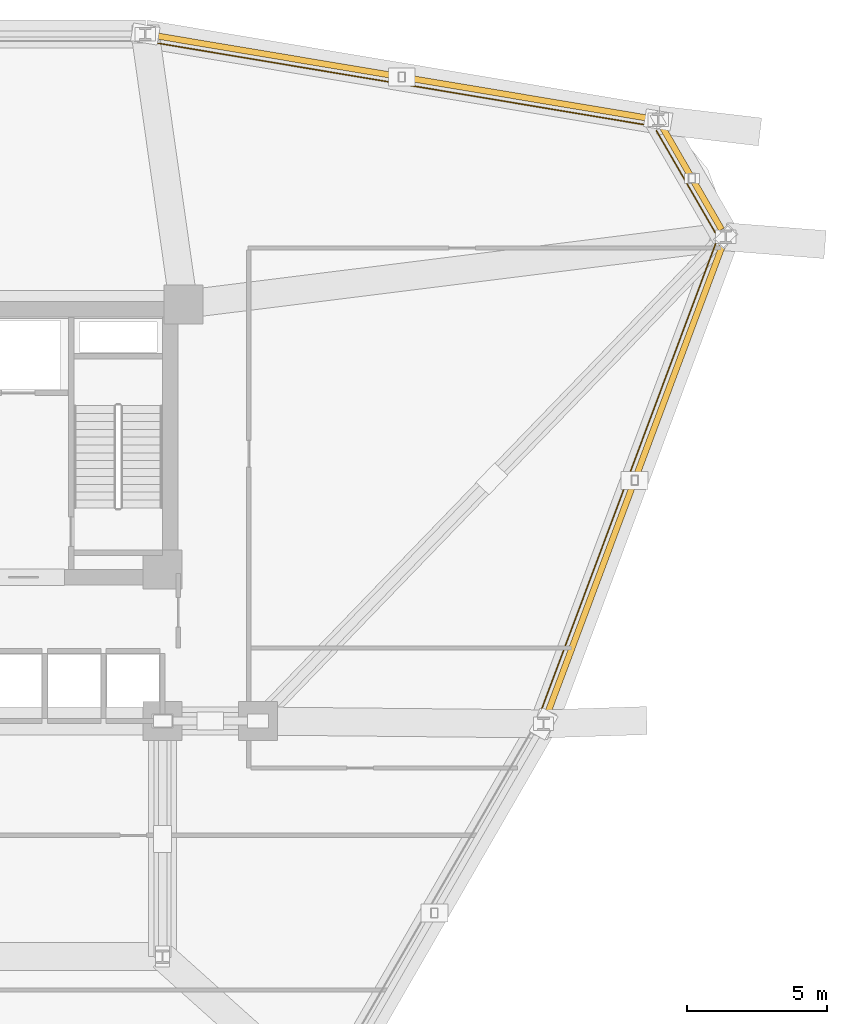
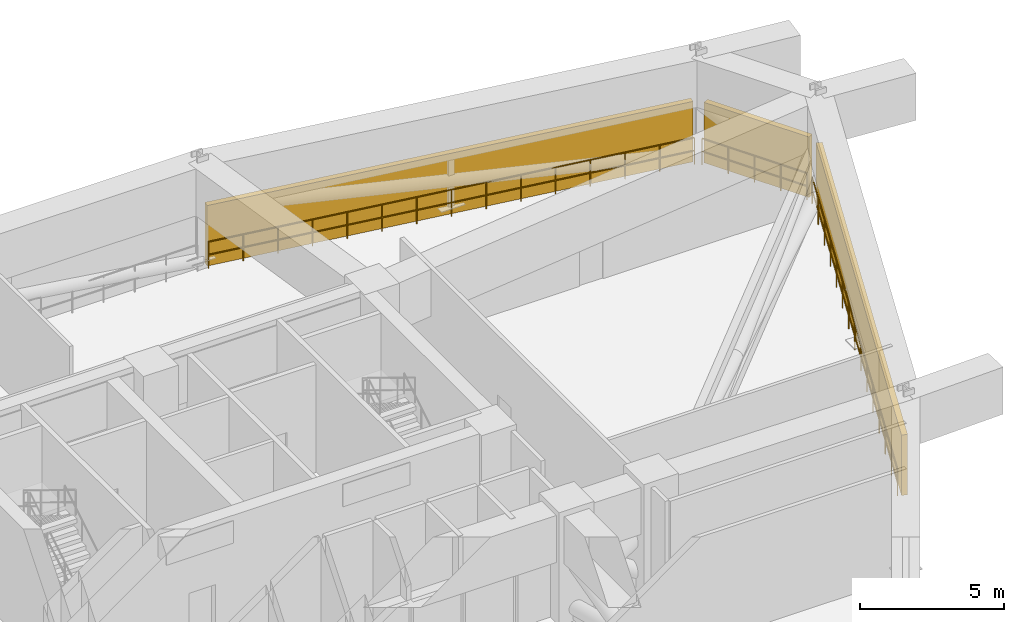
# One storey, part 12 of 12: 3 railings, 3 shading devices.
"""IFC4 building model written with IfcOpenShell, lengths in metres."""

from ifc_helpers import new_model, si_unit, derived_unit, direction, frame, origin, origin_2d, place, context, subcontext, project, spatial, polyline, circle, outline, extrude, material, layer, layer_set, type_object, element, save


model = new_model("IFC4")

# Units and contexts
model_context = context("Model", 3, precision=1e-05, world=origin(), true_north=direction((0.0, 1.0)))
body_context = subcontext(model_context, "Body", "Model", "MODEL_VIEW")
ifc_project = project(units=[si_unit("LENGTHUNIT", "METRE"), si_unit("AREAUNIT", "SQUARE_METRE"), si_unit("VOLUMEUNIT", "CUBIC_METRE"), si_unit("PLANEANGLEUNIT", "RADIAN"), si_unit("MASSUNIT", "GRAM", prefix="KILO"), derived_unit("THERMALTRANSMITTANCEUNIT", [(si_unit("POWERUNIT", "WATT"), 1), (si_unit("LENGTHUNIT", "METRE"), -2), (si_unit("THERMODYNAMICTEMPERATUREUNIT", "KELVIN"), -1)])], contexts=[model_context])

# Site, building, storey
site_placement = place(None, origin())
site = spatial("IfcSite", under=ifc_project, at=site_placement, CompositionType="ELEMENT")
building_placement = place(site_placement, origin())
building = spatial("IfcBuilding", under=site, at=building_placement, Name="Korsvarv Bourse and Concert Hall", CompositionType="ELEMENT")
storey_placement = place(building_placement, frame((0.0, 0.0, 59.10009765625)))
storey = spatial("IfcBuildingStorey", under=building, at=storey_placement, Name="L14", CompositionType="ELEMENT", Elevation=59.10009765625)

# Railings
ifc_material_1 = material(Name="Laminated safety glass and stainless Steel S355 balustrade", Category="steel")
railing_type = type_object("IfcRailingType", Name="RL-BAL-EXT", PredefinedType="BALUSTRADE", material=ifc_material_1)
railing_1_placement = place(storey_placement, frame((64.109619140625, 49.79443359375, 0.0)))
element("IfcRailing", 1, at=railing_1_placement, inside=storey, type_object=railing_type, Name="L14 Refuge Band Perimeter Safety Balustrade 1", PredefinedType="BALUSTRADE", context=body_context, shape_type="SweptSolid", body=[
    extrude(circle(Radius=0.02392578125, at=origin_2d()), frame((0.0, 0.0, 1.1259765625), z_axis=(-0.499974699561, 0.866040010507, 0.0), x_axis=(-0.866040010507, -0.499974699561, 0.0)), (0.0, 0.0, 1.0), 4.217041015625),
    extrude(circle(Radius=0.02392578125, at=origin_2d()), frame((0.0, 0.0, 0.574951171875), z_axis=(-0.499974699561, 0.866040010507, 0.0), x_axis=(-0.866040010507, -0.499974699561, 0.0)), (0.0, 0.0, 1.0), 4.217041015625),
    extrude(circle(Radius=0.02099609375, at=origin_2d()), origin(), (0.0, 0.0, 1.0), 1.101806640625),
    extrude(circle(Radius=0.02099609375, at=origin_2d()), frame((-0.527099609375, 0.9130859375, 0.0)), (0.0, 0.0, 1.0), 1.101806640625),
    extrude(circle(Radius=0.02099609375, at=origin_2d()), frame((-1.05419921875, 1.826171875, 0.0)), (0.0, 0.0, 1.0), 1.101806640625),
    extrude(circle(Radius=0.02099609375, at=origin_2d()), frame((-1.581298828125, 2.739013671875, 0.0)), (0.0, 0.0, 1.0), 1.101806640625),
    extrude(circle(Radius=0.02099609375, at=origin_2d()), frame((-2.1083984375, 3.652099609375, 0.0)), (0.0, 0.0, 1.0), 1.101806640625),
])
railing_2_placement = place(storey_placement, frame((61.7958984375, 53.62060546875, 0.0)))
element("IfcRailing", 2, at=railing_2_placement, inside=storey, type_object=railing_type, Name="L14 Refuge Band Perimeter Safety Balustrade 2", PredefinedType="BALUSTRADE", context=body_context, shape_type="SweptSolid", body=[
    extrude(circle(Radius=0.02392578125, at=origin_2d()), frame((0.0, 0.0, 1.1259765625), z_axis=(-0.986274247611, 0.165115439916, 0.0), x_axis=(-0.165115439916, -0.986274247611, 0.0)), (0.0, 0.0, 1.0), 18.068603515625),
    extrude(circle(Radius=0.02392578125, at=origin_2d()), frame((0.0, 0.0, 0.574951171875), z_axis=(-0.986274247611, 0.165115439916, 0.0), x_axis=(-0.165115439916, -0.986274247611, 0.0)), (0.0, 0.0, 1.0), 18.068603515625),
    extrude(circle(Radius=0.02099609375, at=origin_2d()), origin(), (0.0, 0.0, 1.0), 1.101806640625),
    extrude(circle(Radius=0.02099609375, at=origin_2d()), frame((-1.27294921875, 0.213134765625, 0.0)), (0.0, 0.0, 1.0), 1.101806640625),
    extrude(circle(Radius=0.02099609375, at=origin_2d()), frame((-2.5458984375, 0.42626953125, 0.0)), (0.0, 0.0, 1.0), 1.101806640625),
    extrude(circle(Radius=0.02099609375, at=origin_2d()), frame((-3.818603515625, 0.639404296875, 0.0)), (0.0, 0.0, 1.0), 1.101806640625),
    extrude(circle(Radius=0.02099609375, at=origin_2d()), frame((-5.091552734375, 0.852294921875, 0.0)), (0.0, 0.0, 1.0), 1.101806640625),
    extrude(circle(Radius=0.02099609375, at=origin_2d()), frame((-6.364501953125, 1.0654296875, 0.0)), (0.0, 0.0, 1.0), 1.101806640625),
    extrude(circle(Radius=0.02099609375, at=origin_2d()), frame((-7.637451171875, 1.278564453125, 0.0)), (0.0, 0.0, 1.0), 1.101806640625),
    extrude(circle(Radius=0.02099609375, at=origin_2d()), frame((-8.91015625, 1.49169921875, 0.0)), (0.0, 0.0, 1.0), 1.101806640625),
    extrude(circle(Radius=0.02099609375, at=origin_2d()), frame((-10.18310546875, 1.704833984375, 0.0)), (0.0, 0.0, 1.0), 1.101806640625),
    extrude(circle(Radius=0.02099609375, at=origin_2d()), frame((-11.4560546875, 1.91796875, 0.0)), (0.0, 0.0, 1.0), 1.101806640625),
    extrude(circle(Radius=0.02099609375, at=origin_2d()), frame((-12.72900390625, 2.131103515625, 0.0)), (0.0, 0.0, 1.0), 1.101806640625),
    extrude(circle(Radius=0.02099609375, at=origin_2d()), frame((-14.001953125, 2.343994140625, 0.0)), (0.0, 0.0, 1.0), 1.101806640625),
    extrude(circle(Radius=0.02099609375, at=origin_2d()), frame((-15.274658203125, 2.55712890625, 0.0)), (0.0, 0.0, 1.0), 1.101806640625),
    extrude(circle(Radius=0.02099609375, at=origin_2d()), frame((-16.547607421875, 2.770263671875, 0.0)), (0.0, 0.0, 1.0), 1.101806640625),
    extrude(circle(Radius=0.02099609375, at=origin_2d()), frame((-17.820556640625, 2.9833984375, 0.0)), (0.0, 0.0, 1.0), 1.101806640625),
])
railing_3_placement = place(storey_placement, frame((57.84521484375, 32.6416015625, 0.0)))
element("IfcRailing", 3, at=railing_3_placement, inside=storey, type_object=railing_type, Name="L14 Refuge Band Perimeter Safety Balustrade 12", PredefinedType="BALUSTRADE", context=body_context, shape_type="SweptSolid", body=[
    extrude(circle(Radius=0.02392578125, at=origin_2d()), frame((0.0, 0.0, 1.1259765625), z_axis=(0.350140201652, 0.936697303928, 0.0), x_axis=(-0.936697303928, 0.350140201652, 0.0)), (0.0, 0.0, 1.0), 17.990234375),
    extrude(circle(Radius=0.02392578125, at=origin_2d()), frame((0.0, 0.0, 0.574951171875), z_axis=(0.350140201652, 0.936697303928, 0.0), x_axis=(-0.936697303928, 0.350140201652, 0.0)), (0.0, 0.0, 1.0), 17.990234375),
    extrude(circle(Radius=0.02099609375, at=origin_2d()), origin(), (0.0, 0.0, 1.0), 1.101806640625),
    extrude(circle(Radius=0.02099609375, at=origin_2d()), frame((0.449951171875, 1.20361328125, 0.0)), (0.0, 0.0, 1.0), 1.101806640625),
    extrude(circle(Radius=0.02099609375, at=origin_2d()), frame((0.89990234375, 2.4072265625, 0.0)), (0.0, 0.0, 1.0), 1.101806640625),
    extrude(circle(Radius=0.02099609375, at=origin_2d()), frame((1.349853515625, 3.611083984375, 0.0)), (0.0, 0.0, 1.0), 1.101806640625),
    extrude(circle(Radius=0.02099609375, at=origin_2d()), frame((1.7998046875, 4.814697265625, 0.0)), (0.0, 0.0, 1.0), 1.101806640625),
    extrude(circle(Radius=0.02099609375, at=origin_2d()), frame((2.249755859375, 6.018310546875, 0.0)), (0.0, 0.0, 1.0), 1.101806640625),
    extrude(circle(Radius=0.02099609375, at=origin_2d()), frame((2.69970703125, 7.221923828125, 0.0)), (0.0, 0.0, 1.0), 1.101806640625),
    extrude(circle(Radius=0.02099609375, at=origin_2d()), frame((3.1494140625, 8.42578125, 0.0)), (0.0, 0.0, 1.0), 1.101806640625),
    extrude(circle(Radius=0.02099609375, at=origin_2d()), frame((3.599365234375, 9.62939453125, 0.0)), (0.0, 0.0, 1.0), 1.101806640625),
    extrude(circle(Radius=0.02099609375, at=origin_2d()), frame((4.04931640625, 10.8330078125, 0.0)), (0.0, 0.0, 1.0), 1.101806640625),
    extrude(circle(Radius=0.02099609375, at=origin_2d()), frame((4.499267578125, 12.03662109375, 0.0)), (0.0, 0.0, 1.0), 1.101806640625),
    extrude(circle(Radius=0.02099609375, at=origin_2d()), frame((4.94921875, 13.240234375, 0.0)), (0.0, 0.0, 1.0), 1.101806640625),
    extrude(circle(Radius=0.02099609375, at=origin_2d()), frame((5.399169921875, 14.444091796875, 0.0)), (0.0, 0.0, 1.0), 1.101806640625),
    extrude(circle(Radius=0.02099609375, at=origin_2d()), frame((5.84912109375, 15.647705078125, 0.0)), (0.0, 0.0, 1.0), 1.101806640625),
    extrude(circle(Radius=0.02099609375, at=origin_2d()), frame((6.299072265625, 16.851318359375, 0.0)), (0.0, 0.0, 1.0), 1.101806640625),
])

# Shading devices
ifc_material_2 = material(Name="Marine-grade powder-coated aluminium acoustic storm louvre", Category="aluminium")
ifc_layer = layer(ifc_material_2, 0.219970703125)
ifc_layer_set = layer_set([ifc_layer], Name="Marine-grade powder-coated aluminium acoustic storm louvre")
shading_device_type = type_object("IfcShadingDeviceType", Name="SHD-LVR-1", PredefinedType="JALOUSIE", material=ifc_layer_set)
shading_device_1_placement = place(storey_placement, origin())
element("IfcShadingDevice", 4, at=shading_device_1_placement, inside=storey, type_object=shading_device_type, Name="L14 Refuge Acoustic Storm Louvre Bay 1", PredefinedType="JALOUSIE", context=body_context, shape_type="SweptSolid", body=[
    extrude(outline(polyline([(64.23095703125, 49.864501953125), (62.122314453125, 53.5166015625), (62.31298828125, 53.62646484375), (64.42138671875, 49.974365234375), (64.23095703125, 49.864501953125)])), origin(), (0.0, 0.0, 1.0), 2.56982421875),
])
shading_device_2_placement = place(storey_placement, origin())
element("IfcShadingDevice", 5, at=shading_device_2_placement, inside=storey, type_object=shading_device_type, Name="L14 Refuge Acoustic Storm Louvre Bay 2", PredefinedType="JALOUSIE", context=body_context, shape_type="SweptSolid", body=[
    extrude(outline(polyline([(61.819091796875, 53.7587890625), (43.99853515625, 56.7421875), (44.034912109375, 56.959228515625), (61.85546875, 53.975830078125), (61.819091796875, 53.7587890625)])), origin(), (0.0, 0.0, 1.0), 2.56982421875),
])
shading_device_3_placement = place(storey_placement, origin())
element("IfcShadingDevice", 6, at=shading_device_3_placement, inside=storey, type_object=shading_device_type, Name="L14 Refuge Acoustic Storm Louvre Bay 12", PredefinedType="JALOUSIE", context=body_context, shape_type="SweptSolid", body=[
    extrude(outline(polyline([(57.976318359375, 32.592529296875), (64.275390625, 49.44384765625), (64.4814453125, 49.366943359375), (58.182373046875, 32.515380859375), (57.976318359375, 32.592529296875)])), origin(), (0.0, 0.0, 1.0), 2.56982421875),
])

save(model, "model.ifc")
